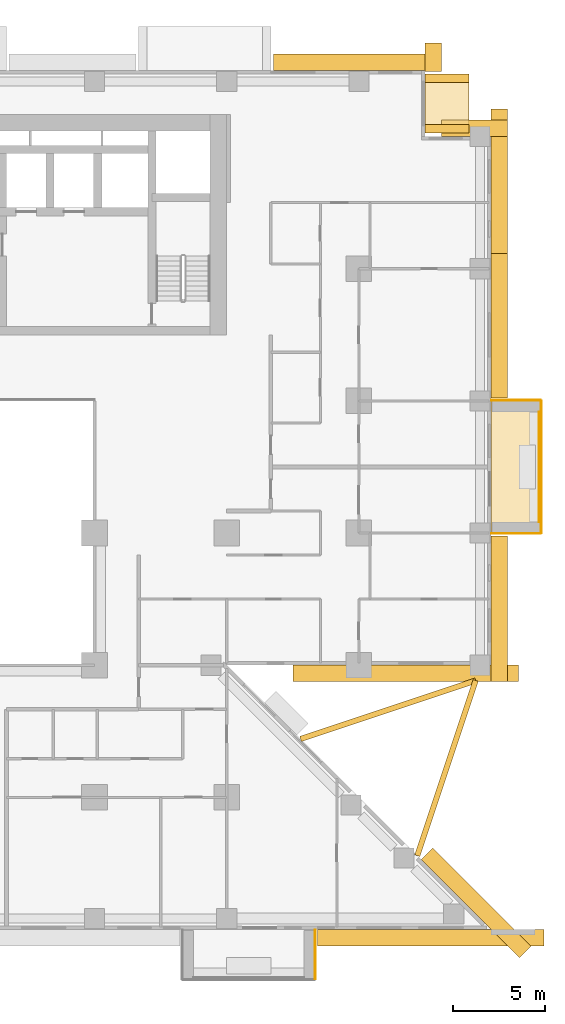
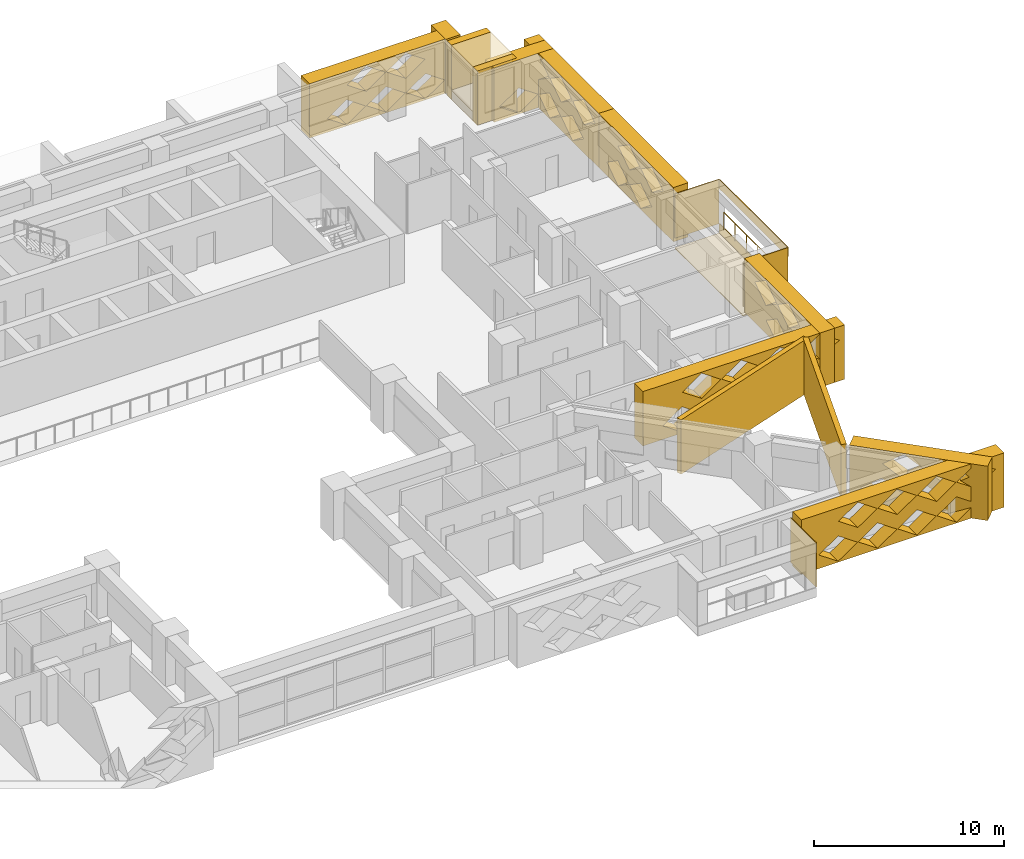
# One storey, part 17 of 17: 21 coverings, 1 railing.
"""IFC4 building model written with IfcOpenShell, lengths in metres."""

from ifc_helpers import new_model, si_unit, direction, frame, origin, origin_2d, place, context, subcontext, project, spatial, polyline, circle, outline, extrude, material, layer, layer_set, type_object, element, save


model = new_model("IFC4")

# Units and contexts
model_context = context("Model", 3, precision=1e-05, world=origin(), true_north=direction((0.0, 1.0)))
body_context = subcontext(model_context, "Body", "Model", "MODEL_VIEW")
ifc_project = project(units=[si_unit("LENGTHUNIT", "METRE"), si_unit("AREAUNIT", "SQUARE_METRE"), si_unit("VOLUMEUNIT", "CUBIC_METRE"), si_unit("PLANEANGLEUNIT", "RADIAN"), si_unit("MASSUNIT", "GRAM", prefix="KILO")], contexts=[model_context])

# Site, building, storey
site_placement = place(None, origin())
site = spatial("IfcSite", under=ifc_project, at=site_placement, CompositionType="ELEMENT")
building_placement = place(site_placement, origin())
building = spatial("IfcBuilding", under=site, at=building_placement, Name="Saffron Iwan Residences", CompositionType="ELEMENT")
storey_placement = place(building_placement, frame((0.0, 0.0, 51.5)))
storey = spatial("IfcBuildingStorey", under=building, at=storey_placement, Name="L12", CompositionType="ELEMENT", Elevation=51.5)

# Railing
ifc_material_1 = material(Name="Stainless steel 316", Category="steel")
railing_type = type_object("IfcRailingType", Name="BALCONY GUARD 1150", PredefinedType="GUARDRAIL", material=ifc_material_1)
railing_placement = place(storey_placement, frame((89.02490234375, 55.800048828125, 0.0)))
element("IfcRailing", 1, at=railing_placement, inside=storey, type_object=railing_type, Name="Balcony guard L12 F2-0", PredefinedType="GUARDRAIL", context=body_context, shape_type="SweptSolid", body=[
    extrude(circle(Radius=0.02392578125, at=origin_2d()), frame((0.0, 0.0, 1.1259765625), z_axis=(0.0, 1.0, 0.0), x_axis=(-1.0, 0.0, 0.0)), (0.0, 0.0, 1.0), 6.0),
    extrude(circle(Radius=0.02099609375, at=origin_2d()), origin(), (0.0, 0.0, 1.0), 1.101806640625),
    extrude(circle(Radius=0.02099609375, at=origin_2d()), frame((0.0, 1.199951171875, 0.0)), (0.0, 0.0, 1.0), 1.101806640625),
    extrude(circle(Radius=0.02099609375, at=origin_2d()), frame((0.0, 2.39990234375, 0.0)), (0.0, 0.0, 1.0), 1.101806640625),
    extrude(circle(Radius=0.02099609375, at=origin_2d()), frame((0.0, 3.60009765625, 0.0)), (0.0, 0.0, 1.0), 1.101806640625),
    extrude(circle(Radius=0.02099609375, at=origin_2d()), frame((0.0, 4.800048828125, 0.0)), (0.0, 0.0, 1.0), 1.101806640625),
    extrude(circle(Radius=0.02099609375, at=origin_2d()), frame((0.0, 6.0, 0.0)), (0.0, 0.0, 1.0), 1.101806640625),
])

# Coverings
ifc_material_2 = material(Name="Precast concrete C40/50 white painted", Category="concrete")
ifc_layer_1 = layer(ifc_material_2, 0.050048828125)
ifc_layer_set_1 = layer_set([ifc_layer_1], Name="Precast concrete C40/50 white painted")
covering_type_1 = type_object("IfcCoveringType", Name="FRAME SKIN PRECAST WHITE 50", PredefinedType="CLADDING", material=ifc_layer_set_1)
for number, where, name in (
    (2, (0.0, 0.0, -0.60009765625), "Frame skin slab edge L12 F2-0"),
    (3, (0.0, 0.0, 2.25), "Frame skin fascia L12 F2-0"),
):
    element("IfcCovering", number, at=place(storey_placement, frame(where)), inside=storey, type_object=covering_type_1, Name=name, PredefinedType="CLADDING", context=body_context, shape_type="SweptSolid", body=[
        extrude(outline(polyline([(89.14990234375, 55.199951171875), (89.14990234375, 62.39990234375), (89.10009765625, 62.39990234375), (89.10009765625, 55.199951171875), (89.14990234375, 55.199951171875)])), origin(), (0.0, 0.0, 1.0), 0.60009765625),
    ])
covering_1_placement = place(storey_placement, frame((0.0, 0.0, -0.64990234375)))
element("IfcCovering", 4, at=covering_1_placement, inside=storey, type_object=covering_type_1, Name="Frame skin soffit L12 F2-0", PredefinedType="CLADDING", context=body_context, shape_type="SweptSolid", body=[
    extrude(outline(polyline([(89.10009765625, 55.199951171875), (89.10009765625, 62.39990234375), (86.39990234375, 62.39990234375), (86.39990234375, 55.199951171875), (89.10009765625, 55.199951171875)])), origin(), (0.0, 0.0, 1.0), 0.0498046875),
])
covering_2_placement = place(storey_placement, origin())
element("IfcCovering", 5, at=covering_2_placement, inside=storey, type_object=covering_type_1, Name="Frame skin fin L12 F2-0a", PredefinedType="CLADDING", context=body_context, shape_type="SweptSolid", body=[
    extrude(outline(polyline([(89.10009765625, 55.14990234375), (89.10009765625, 55.199951171875), (86.39990234375, 55.199951171875), (86.39990234375, 55.14990234375), (89.10009765625, 55.14990234375)])), origin(), (0.0, 0.0, 1.0), 2.85009765625),
])
covering_3_placement = place(storey_placement, origin())
element("IfcCovering", 6, at=covering_3_placement, inside=storey, type_object=covering_type_1, Name="Frame skin fin L12 F2-0b", PredefinedType="CLADDING", context=body_context, shape_type="SweptSolid", body=[
    extrude(outline(polyline([(89.10009765625, 62.39990234375), (89.10009765625, 62.449951171875), (86.39990234375, 62.449951171875), (86.39990234375, 62.39990234375), (89.10009765625, 62.39990234375)])), origin(), (0.0, 0.0, 1.0), 2.85009765625),
])
covering_4_placement = place(storey_placement, origin())
element("IfcCovering", 7, at=covering_4_placement, inside=storey, type_object=covering_type_1, Name="Frame skin fin L12 11-1b", PredefinedType="CLADDING", context=body_context, shape_type="SweptSolid", body=[
    extrude(outline(polyline([(76.800048828125, 30.89990234375), (76.85009765625, 30.89990234375), (76.85009765625, 33.60009765625), (76.800048828125, 33.60009765625), (76.800048828125, 30.89990234375)])), origin(), (0.0, 0.0, 1.0), 2.85009765625),
])
ifc_material_3 = material(Name="Precast concrete C40/50", Category="concrete")
covering_type_2 = type_object("IfcCoveringType", Name="OUTER SKIN LATTICE SCREEN", PredefinedType="CLADDING", material=ifc_material_3)
covering_5_placement = place(storey_placement, frame((87.939453125, 32.060546875, -0.320068359375), z_axis=(0.706971125213, 0.70724241114, 0.0), x_axis=(-0.70724241114, 0.706971125213, 0.0)))
element("IfcCovering", 8, at=covering_5_placement, inside=storey, type_object=covering_type_2, Name="OUTER SKIN lattice screen L12 F0.0", PredefinedType="CLADDING", context=body_context, shape_type="SweptSolid", body=[
    extrude(outline(polyline([(0.0, 0.0), (7.559326171875, 0.0), (7.559326171875, 3.5), (0.0, 3.5), (0.0, 0.0)]), holes=[polyline([(2.197021484375, 0.875), (3.377197265625, 0.06005859375), (4.55712890625, 0.875), (3.377197265625, 1.68994140625), (2.197021484375, 0.875)]), polyline([(4.59716796875, 0.875), (5.777099609375, 0.06005859375), (6.95703125, 0.875), (5.777099609375, 1.68994140625), (4.59716796875, 0.875)]), polyline([(0.9970703125, 2.625), (2.177001953125, 1.81005859375), (3.357177734375, 2.625), (2.177001953125, 3.43994140625), (0.9970703125, 2.625)]), polyline([(3.397216796875, 2.625), (4.5771484375, 1.81005859375), (5.757080078125, 2.625), (4.5771484375, 3.43994140625), (3.397216796875, 2.625)])]), origin(), (0.0, 0.0, 1.0), 0.89990234375),
])
covering_6_placement = place(storey_placement, frame((75.6171875, 48.0, -0.320068359375), z_axis=(0.0, -1.0, 0.0), x_axis=(1.0, 0.0, 0.0)))
element("IfcCovering", 9, at=covering_6_placement, inside=storey, type_object=covering_type_2, Name="OUTER SKIN lattice screen L12 F1.0", PredefinedType="CLADDING", context=body_context, shape_type="SweptSolid", body=[
    extrude(outline(polyline([(0.0, 0.0), (12.282958984375, 0.0), (12.282958984375, 3.5), (0.0, 3.5), (0.0, 0.0)]), holes=[polyline([(1.202880859375, 0.875), (2.3828125, 0.06005859375), (3.56298828125, 0.875), (2.3828125, 1.68994140625), (1.202880859375, 0.875)]), polyline([(3.602783203125, 0.875), (4.782958984375, 0.06005859375), (5.962890625, 0.875), (4.782958984375, 1.68994140625), (3.602783203125, 0.875)]), polyline([(6.0029296875, 0.875), (7.182861328125, 0.06005859375), (8.36279296875, 0.875), (7.182861328125, 1.68994140625), (6.0029296875, 0.875)]), polyline([(8.40283203125, 0.875), (9.5830078125, 0.06005859375), (10.762939453125, 0.875), (9.5830078125, 1.68994140625), (8.40283203125, 0.875)]), polyline([(2.40283203125, 2.625), (3.5830078125, 1.81005859375), (4.762939453125, 2.625), (3.5830078125, 3.43994140625), (2.40283203125, 2.625)]), polyline([(4.802978515625, 2.625), (5.98291015625, 1.81005859375), (7.162841796875, 2.625), (5.98291015625, 3.43994140625), (4.802978515625, 2.625)]), polyline([(7.202880859375, 2.625), (8.3828125, 1.81005859375), (9.56298828125, 2.625), (8.3828125, 3.43994140625), (7.202880859375, 2.625)]), polyline([(9.602783203125, 2.625), (10.782958984375, 1.81005859375), (11.962890625, 2.625), (10.782958984375, 3.43994140625), (9.602783203125, 2.625)])]), origin(), (0.0, 0.0, 1.0), 0.89990234375),
])
covering_7_placement = place(storey_placement, frame((86.39990234375, 47.10009765625, -0.320068359375), z_axis=(1.0, 0.0, 0.0), x_axis=(0.0, 1.0, 0.0)))
element("IfcCovering", 10, at=covering_7_placement, inside=storey, type_object=covering_type_2, Name="OUTER SKIN lattice screen L12 F2.0", PredefinedType="CLADDING", context=body_context, shape_type="SweptSolid", body=[
    extrude(outline(polyline([(0.0, 0.0), (7.949951171875, 0.0), (7.949951171875, 3.5), (0.0, 3.5), (0.0, 0.0)]), holes=[polyline([(0.919921875, 0.875), (2.10009765625, 0.06005859375), (3.280029296875, 0.875), (2.10009765625, 1.68994140625), (0.919921875, 0.875)]), polyline([(3.320068359375, 0.875), (4.5, 0.06005859375), (5.679931640625, 0.875), (4.5, 1.68994140625), (3.320068359375, 0.875)]), polyline([(2.1201171875, 2.625), (3.300048828125, 1.81005859375), (4.47998046875, 2.625), (3.300048828125, 3.43994140625), (2.1201171875, 2.625)]), polyline([(4.52001953125, 2.625), (5.699951171875, 1.81005859375), (6.8798828125, 2.625), (5.699951171875, 3.43994140625), (4.52001953125, 2.625)])]), origin(), (0.0, 0.0, 1.0), 0.900146484375),
])
covering_8_placement = place(storey_placement, frame((86.39990234375, 62.550048828125, -0.320068359375), z_axis=(1.0, 0.0, 0.0), x_axis=(0.0, 1.0, 0.0)))
element("IfcCovering", 11, at=covering_8_placement, inside=storey, type_object=covering_type_2, Name="OUTER SKIN lattice screen L12 F2.1", PredefinedType="CLADDING", context=body_context, shape_type="SweptSolid", body=[
    extrude(outline(polyline([(0.0, 0.0), (7.875, 0.0), (7.875, 3.5), (0.0, 3.5), (0.0, 0.0)]), holes=[polyline([(2.27001953125, 0.875), (3.449951171875, 0.06005859375), (4.6298828125, 0.875), (3.449951171875, 1.68994140625), (2.27001953125, 0.875)]), polyline([(4.669921875, 0.875), (5.85009765625, 0.06005859375), (7.030029296875, 0.875), (5.85009765625, 1.68994140625), (4.669921875, 0.875)]), polyline([(1.070068359375, 2.625), (2.25, 1.81005859375), (3.429931640625, 2.625), (2.25, 3.43994140625), (1.070068359375, 2.625)]), polyline([(3.469970703125, 2.625), (4.64990234375, 1.81005859375), (5.830078125, 2.625), (4.64990234375, 3.43994140625), (3.469970703125, 2.625)])]), origin(), (0.0, 0.0, 1.0), 0.900146484375),
])
covering_9_placement = place(storey_placement, frame((86.39990234375, 70.425048828125, -0.320068359375), z_axis=(1.0, 0.0, 0.0), x_axis=(0.0, 1.0, 0.0)))
element("IfcCovering", 12, at=covering_9_placement, inside=storey, type_object=covering_type_2, Name="OUTER SKIN lattice screen L12 F2.2", PredefinedType="CLADDING", context=body_context, shape_type="SweptSolid", body=[
    extrude(outline(polyline([(0.0, 0.0), (7.875, 0.0), (7.875, 3.5), (0.0, 3.5), (0.0, 0.0)]), holes=[polyline([(1.594970703125, 0.875), (2.77490234375, 0.06005859375), (3.955078125, 0.875), (2.77490234375, 1.68994140625), (1.594970703125, 0.875)]), polyline([(3.9951171875, 0.875), (5.175048828125, 0.06005859375), (6.35498046875, 0.875), (5.175048828125, 1.68994140625), (3.9951171875, 0.875)]), polyline([(0.39501953125, 2.625), (1.574951171875, 1.81005859375), (2.7548828125, 2.625), (1.574951171875, 3.43994140625), (0.39501953125, 2.625)]), polyline([(2.794921875, 2.625), (3.97509765625, 1.81005859375), (5.155029296875, 2.625), (3.97509765625, 3.43994140625), (2.794921875, 2.625)]), polyline([(5.195068359375, 2.625), (6.375, 1.81005859375), (7.554931640625, 2.625), (6.375, 3.43994140625), (5.195068359375, 2.625)])]), origin(), (0.0, 0.0, 1.0), 0.900146484375),
])
covering_10_placement = place(storey_placement, frame((87.300048828125, 76.800048828125, -0.320068359375), z_axis=(0.0, 1.0, 0.0), x_axis=(-1.0, 0.0, 0.0)))
element("IfcCovering", 13, at=covering_10_placement, inside=storey, type_object=covering_type_2, Name="OUTER SKIN lattice screen L12 F3.0", PredefinedType="CLADDING", context=body_context, shape_type="SweptSolid", body=[
    extrude(outline(polyline([(0.0, 0.0), (3.60009765625, 0.0), (3.60009765625, 3.5), (0.0, 3.5), (0.0, 0.0)]), holes=[polyline([(0.919921875, 0.875), (2.10009765625, 0.06005859375), (3.280029296875, 0.875), (2.10009765625, 1.68994140625), (0.919921875, 0.875)])]), origin(), (0.0, 0.0, 1.0), 0.89990234375),
])
covering_11_placement = place(storey_placement, frame((82.800048828125, 80.35009765625, -0.320068359375), z_axis=(1.0, 0.0, 0.0), x_axis=(0.0, 1.0, 0.0)))
element("IfcCovering", 14, at=covering_11_placement, inside=storey, type_object=covering_type_2, Name="OUTER SKIN lattice screen L12 F4.0", PredefinedType="CLADDING", context=body_context, shape_type="SweptSolid", body=[
    extrude(outline(polyline([(0.0, 0.0), (1.550048828125, 0.0), (1.550048828125, 3.5), (0.0, 3.5), (0.0, 0.0)])), origin(), (0.0, 0.0, 1.0), 0.89990234375),
])
covering_12_placement = place(storey_placement, frame((83.699951171875, 80.39990234375, -0.320068359375), z_axis=(0.0, 1.0, 0.0), x_axis=(-1.0, 0.0, 0.0)))
element("IfcCovering", 15, at=covering_12_placement, inside=storey, type_object=covering_type_2, Name="OUTER SKIN lattice screen L12 F5.0", PredefinedType="CLADDING", context=body_context, shape_type="SweptSolid", body=[
    extrude(outline(polyline([(0.0, 0.0), (9.14990234375, 0.0), (9.14990234375, 3.5), (0.0, 3.5), (0.0, 0.0)]), holes=[polyline([(0.919921875, 0.875), (2.10009765625, 0.06005859375), (3.280029296875, 0.875), (2.10009765625, 1.68994140625), (0.919921875, 0.875)]), polyline([(3.320068359375, 0.875), (4.5, 0.06005859375), (5.679931640625, 0.875), (4.5, 1.68994140625), (3.320068359375, 0.875)]), polyline([(5.719970703125, 0.875), (6.89990234375, 0.06005859375), (8.080078125, 0.875), (6.89990234375, 1.68994140625), (5.719970703125, 0.875)]), polyline([(2.1201171875, 2.625), (3.300048828125, 1.81005859375), (4.47998046875, 2.625), (3.300048828125, 3.43994140625), (2.1201171875, 2.625)]), polyline([(4.52001953125, 2.625), (5.699951171875, 1.81005859375), (6.8798828125, 2.625), (5.699951171875, 3.43994140625), (4.52001953125, 2.625)])]), origin(), (0.0, 0.0, 1.0), 0.900146484375),
])
covering_13_placement = place(storey_placement, frame((76.949951171875, 33.60009765625, -0.320068359375), z_axis=(0.0, -1.0, 0.0), x_axis=(1.0, 0.0, 0.0)))
element("IfcCovering", 16, at=covering_13_placement, inside=storey, type_object=covering_type_2, Name="OUTER SKIN lattice screen L12 F11.3", PredefinedType="CLADDING", context=body_context, shape_type="SweptSolid", body=[
    extrude(outline(polyline([(0.0, 0.0), (12.34716796875, 0.0), (12.34716796875, 3.5), (0.0, 3.5), (0.0, 0.0)]), holes=[polyline([(1.070068359375, 0.875), (2.25, 0.06005859375), (3.429931640625, 0.875), (2.25, 1.68994140625), (1.070068359375, 0.875)]), polyline([(3.469970703125, 0.875), (4.64990234375, 0.06005859375), (5.830078125, 0.875), (4.64990234375, 1.68994140625), (3.469970703125, 0.875)]), polyline([(5.8701171875, 0.875), (7.050048828125, 0.06005859375), (8.22998046875, 0.875), (7.050048828125, 1.68994140625), (5.8701171875, 0.875)]), polyline([(8.27001953125, 0.875), (9.449951171875, 0.06005859375), (10.6298828125, 0.875), (9.449951171875, 1.68994140625), (8.27001953125, 0.875)]), polyline([(2.27001953125, 2.625), (3.449951171875, 1.81005859375), (4.6298828125, 2.625), (3.449951171875, 3.43994140625), (2.27001953125, 2.625)]), polyline([(4.669921875, 2.625), (5.85009765625, 1.81005859375), (7.030029296875, 2.625), (5.85009765625, 3.43994140625), (4.669921875, 2.625)]), polyline([(7.070068359375, 2.625), (8.25, 1.81005859375), (9.429931640625, 2.625), (8.25, 3.43994140625), (7.070068359375, 2.625)]), polyline([(9.469970703125, 2.625), (10.64990234375, 1.81005859375), (11.830078125, 2.625), (10.64990234375, 3.43994140625), (9.469970703125, 2.625)])]), origin(), (0.0, 0.0, 1.0), 0.900146484375),
])
ifc_layer_2 = layer(ifc_material_2, 0.300048828125)
ifc_layer_set_2 = layer_set([ifc_layer_2], Name="Precast concrete C40/50 white painted")
covering_type_3 = type_object("IfcCoveringType", Name="PROW NOSE BLADE PRECAST WHITE", PredefinedType="CLADDING", material=ifc_layer_set_2)
covering_14_placement = place(storey_placement, frame((0.0, 0.0, -0.320068359375)))
element("IfcCovering", 17, at=covering_14_placement, inside=storey, type_object=covering_type_3, Name="Prow nose blade L12 a", PredefinedType="CLADDING", context=body_context, shape_type="SweptSolid", body=[
    extrude(outline(polyline([(82.5244140625, 37.570556640625), (85.706298828125, 47.116455078125), (85.421630859375, 47.21142578125), (82.23974609375, 37.66552734375), (82.5244140625, 37.570556640625)])), origin(), (0.0, 0.0, 1.0), 3.5),
])
covering_15_placement = place(storey_placement, frame((0.0, 0.0, -0.320068359375)))
element("IfcCovering", 18, at=covering_15_placement, inside=storey, type_object=covering_type_3, Name="Prow nose blade L12 b", PredefinedType="CLADDING", context=body_context, shape_type="SweptSolid", body=[
    extrude(outline(polyline([(76.0654296875, 43.839599609375), (85.611328125, 47.021728515625), (85.5166015625, 47.306396484375), (75.970703125, 44.124267578125), (76.0654296875, 43.839599609375)])), origin(), (0.0, 0.0, 1.0), 3.5),
])
covering_type_4 = type_object("IfcCoveringType", Name="WHITE SUN FRAME PRECAST", PredefinedType="CLADDING", material=ifc_material_2)
for number, where, z_axis, x_axis, name in (
    (19, (82.800048828125, 77.0, -0.320068359375), (1.0, 0.0, 0.0), (0.0, 1.0, 0.0), "Sun frame L12 F4 0.2a"),
    (20, (82.800048828125, 79.75, -0.320068359375), (1.0, 0.0, 0.0), (0.0, 1.0, 0.0), "Sun frame L12 F4 0.2b"),
):
    element("IfcCovering", number, at=place(storey_placement, frame(where, z_axis=z_axis, x_axis=x_axis)), inside=storey, type_object=covering_type_4, Name=name, PredefinedType="CLADDING", context=body_context, shape_type="SweptSolid", body=[
        extrude(outline(polyline([(0.0, 0.0), (0.449951171875, 0.0), (0.449951171875, 3.5), (0.0, 3.5), (0.0, 0.0)])), origin(), (0.0, 0.0, 1.0), 2.39990234375),
    ])
for number, where, z_axis, x_axis, name in (
    (21, (82.800048828125, 77.449951171875, 2.580078125), (1.0, 0.0, 0.0), (0.0, 1.0, 0.0), "Sun frame L12 F4 0.2h"),
    (22, (82.800048828125, 77.449951171875, -0.320068359375), (1.0, 0.0, 0.0), (0.0, 1.0, 0.0), "Sun frame L12 F4 0.2s"),
):
    element("IfcCovering", number, at=place(storey_placement, frame(where, z_axis=z_axis, x_axis=x_axis)), inside=storey, type_object=covering_type_4, Name=name, PredefinedType="CLADDING", context=body_context, shape_type="SweptSolid", body=[
        extrude(outline(polyline([(0.0, 0.0), (2.300048828125, 0.0), (2.300048828125, 0.60009765625), (0.0, 0.60009765625), (0.0, 0.0)])), origin(), (0.0, 0.0, 1.0), 2.39990234375),
    ])

save(model, "model.ifc")
